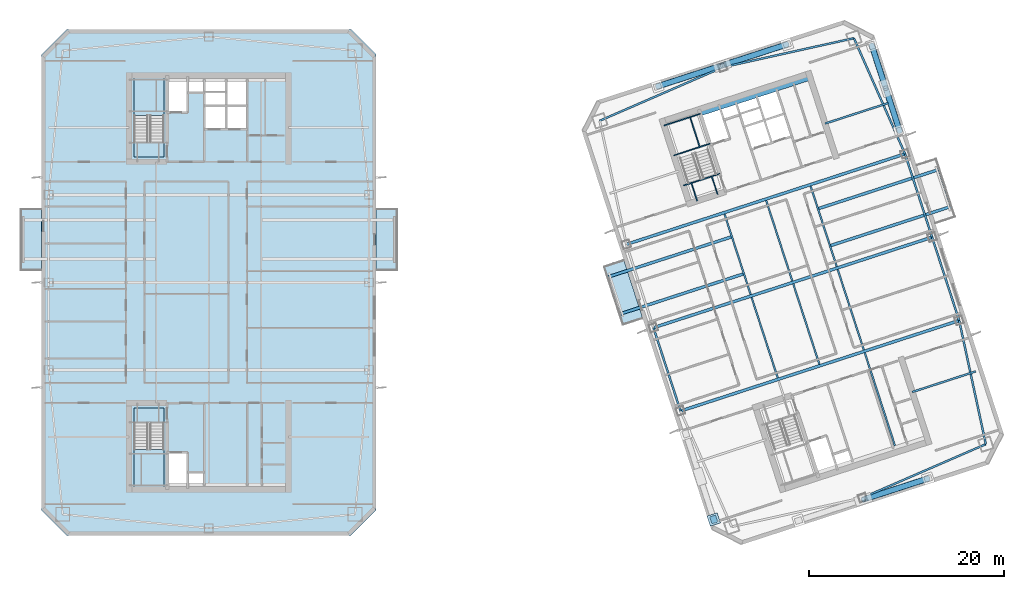
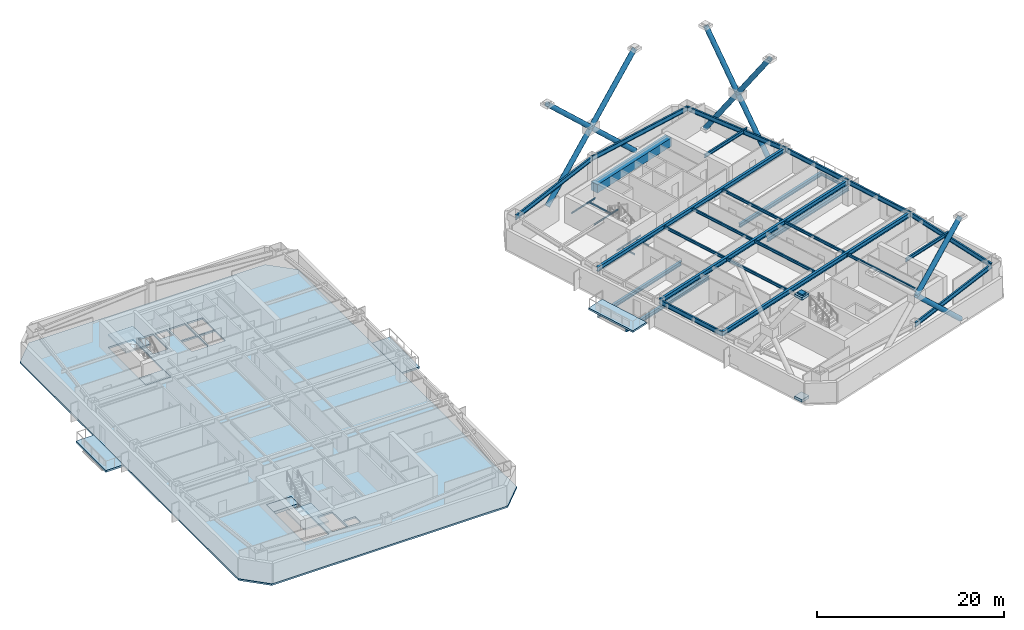
# One storey, part 4 of 18: 32 beams, 10 members, 8 slabs, 3 plates, 2 elements without a shape of their own.
"""IFC4 building model written with IfcOpenShell, lengths in metres."""

from ifc_helpers import new_model, si_unit, direction, frame, origin, origin_2d, place, context, subcontext, project, spatial, polyline, rectangle, hollow_circle, i_section, outline, extrude, material, layer, layer_set, material_profile, profile_set, type_object, element, aggregate, save


model = new_model("IFC4")

# Units and contexts
model_context = context("Model", 3, precision=1e-05, world=origin(), true_north=direction((0.0, 1.0)))
body_context = subcontext(model_context, "Body", "Model", "MODEL_VIEW")
ifc_project = project(units=[si_unit("LENGTHUNIT", "METRE"), si_unit("AREAUNIT", "SQUARE_METRE"), si_unit("VOLUMEUNIT", "CUBIC_METRE"), si_unit("PLANEANGLEUNIT", "RADIAN"), si_unit("MASSUNIT", "GRAM", prefix="KILO")], contexts=[model_context])

# Site, building, storey
site_placement = place(None, origin())
site = spatial("IfcSite", under=ifc_project, at=site_placement, CompositionType="ELEMENT")
building_placement = place(site_placement, origin())
building = spatial("IfcBuilding", under=site, at=building_placement, Name="Qiaolan Cultural Towers", CompositionType="ELEMENT")
storey_placement = place(building_placement, frame((0.0, 0.0, 163.300048828125)))
storey = spatial("IfcBuildingStorey", under=building, at=storey_placement, Name="L43", CompositionType="ELEMENT", Elevation=163.300048828125)

# Beams
ifc_material_1 = material(Name="Steel Q355B", Category="steel")
ifc_material_profile_1 = material_profile(ifc_material_1, i_section(OverallWidth=0.300048828125, OverallDepth=0.488037109375, WebThickness=0.010986328125, FlangeThickness=0.01806640625, at=origin_2d()), Name="HM488x300x11x18")
ifc_profile_set_1 = profile_set([ifc_material_profile_1], Name="Steel Q355B")
beam_type_1 = type_object("IfcBeamType", Name="BM-HM488x300x11x18", PredefinedType="BEAM", material=ifc_profile_set_1)
for number, where, z_axis, x_axis, name in (
    (1, (84.978515625, 34.891845703125, -0.524169921875), (-0.951058928428, -0.309009570496, 0.0), (0.309009570496, -0.951058928428, 0.0), "L43 T2 Tree Balcony Back-Spanned Bracket Beam"),
    (2, (83.742431640625, 38.6962890625, -0.524169921875), (-0.951053553769, -0.309026111943, 0.0), (0.309026111943, -0.951053553769, 0.0), "L43 T2 Tree Balcony Back-Spanned Bracket Beam"),
):
    element("IfcBeam", number, at=place(storey_placement, frame(where, z_axis=z_axis, x_axis=x_axis)), inside=storey, type_object=beam_type_1, Name=name, PredefinedType="BEAM", context=body_context, shape_type="SweptSolid", body=[
        extrude(i_section(OverallWidth=0.300048828125, OverallDepth=0.488037109375, WebThickness=0.010986328125, FlangeThickness=0.01806640625, at=origin_2d()), origin(), (0.0, 0.0, 1.0), 13.349853515625),
    ])
for number, where, z_axis, x_axis, name in (
    (3, (93.823486328125, 37.765869140625, -0.524169921875), (0.951054414178, 0.309023463951, 0.0), (-0.309023463951, 0.951054414178, 0.0), "L43 T2 Tree Balcony Back-Spanned Bracket Beam"),
    (4, (92.58740234375, 41.570068359375, -0.524169921875), (0.951054414178, 0.309023463951, 0.0), (-0.309023463951, 0.951054414178, 0.0), "L43 T2 Tree Balcony Back-Spanned Bracket Beam"),
):
    element("IfcBeam", number, at=place(storey_placement, frame(where, z_axis=z_axis, x_axis=x_axis)), inside=storey, type_object=beam_type_1, Name=name, PredefinedType="BEAM", context=body_context, shape_type="SweptSolid", body=[
        extrude(i_section(OverallWidth=0.300048828125, OverallDepth=0.488037109375, WebThickness=0.010986328125, FlangeThickness=0.01806640625, at=origin_2d()), origin(), (0.0, 0.0, 1.0), 13.0498046875),
    ])
ifc_material_2 = material(Name="Steel Q355B", Category="steel")
ifc_material_profile_2 = material_profile(ifc_material_2, i_section(OverallWidth=0.300048828125, OverallDepth=0.587890625, WebThickness=0.011962890625, FlangeThickness=0.02001953125, at=origin_2d()), Name="HM588x300x12x20")
ifc_profile_set_2 = profile_set([ifc_material_profile_2], Name="Steel Q355B")
beam_type_2 = type_object("IfcBeamType", Name="BM-HM588x300x12x20", PredefinedType="BEAM", material=ifc_profile_set_2)
beam_1_placement = place(storey_placement, frame((78.4677734375, 20.789794921875, 2.89599609375), z_axis=(0.951055226628, 0.309020963535, 0.0), x_axis=(-0.309020963535, 0.951055226628, 0.0)))
element("IfcBeam", 5, at=beam_1_placement, inside=storey, type_object=beam_type_2, Name="L43 T2 Primary Transverse Girder V1", PredefinedType="BEAM", context=body_context, shape_type="SweptSolid", body=[
    extrude(i_section(OverallWidth=0.300048828125, OverallDepth=0.587890625, WebThickness=0.011962890625, FlangeThickness=0.02001953125, at=origin_2d()), origin(), (0.0, 0.0, 1.0), 30.099853515625),
])
beam_2_placement = place(storey_placement, frame((75.6865234375, 29.349365234375, 2.89599609375), z_axis=(0.951058384903, 0.309011243331, 0.0), x_axis=(-0.309011243331, 0.951058384903, 0.0)))
element("IfcBeam", 6, at=beam_2_placement, inside=storey, type_object=beam_type_2, Name="L43 T2 Primary Transverse Girder V2", PredefinedType="BEAM", context=body_context, shape_type="SweptSolid", body=[
    extrude(i_section(OverallWidth=0.300048828125, OverallDepth=0.587890625, WebThickness=0.011962890625, FlangeThickness=0.02001953125, at=origin_2d()), origin(), (0.0, 0.0, 1.0), 30.10009765625),
])
beam_3_placement = place(storey_placement, frame((72.905517578125, 37.90869140625, 2.89599609375), z_axis=(0.951055226628, 0.309020963535, 0.0), x_axis=(-0.309020963535, 0.951055226628, 0.0)))
element("IfcBeam", 7, at=beam_3_placement, inside=storey, type_object=beam_type_2, Name="L43 T2 Primary Transverse Girder V3", PredefinedType="BEAM", context=body_context, shape_type="SweptSolid", body=[
    extrude(i_section(OverallWidth=0.300048828125, OverallDepth=0.587890625, WebThickness=0.011962890625, FlangeThickness=0.02001953125, at=origin_2d()), origin(), (0.0, 0.0, 1.0), 30.099853515625),
])
ifc_material_3 = material(Name="Steel Q355B", Category="steel")
ifc_material_profile_3 = material_profile(ifc_material_3, i_section(OverallWidth=0.175048828125, OverallDepth=0.35009765625, WebThickness=0.007080078125, FlangeThickness=0.010986328125, at=origin_2d()), Name="HN350x175x7x11")
ifc_profile_set_3 = profile_set([ifc_material_profile_3], Name="Steel Q355B")
beam_type_3 = type_object("IfcBeamType", Name="BM-JST-HN350x175x7x11", PredefinedType="JOIST", material=ifc_profile_set_3)
beam_4_placement = place(storey_placement, frame((106.234619140625, 41.798583984375, -0.524169921875), z_axis=(-0.309022586479, 0.951054699292, 0.0), x_axis=(-0.951054699292, -0.309022586479, 0.0)))
element("IfcBeam", 8, at=beam_4_placement, inside=storey, type_object=beam_type_3, Name="L43 T2 Tree Balcony Outer Edge Beam", PredefinedType="JOIST", context=body_context, shape_type="SweptSolid", body=[
    extrude(i_section(OverallWidth=0.175048828125, OverallDepth=0.35009765625, WebThickness=0.007080078125, FlangeThickness=0.010986328125, at=origin_2d()), origin(), (0.0, 0.0, 1.0), 4.0),
])
for number, where, z_axis, x_axis, name in (
    (9, (88.455078125, 24.192626953125, 3.014892578125), (-0.309020714809, 0.951055307445, 0.0), (-0.951055307445, -0.309020714809, 0.0), "L43 T2 Secondary Floor Joist U1-2"),
    (10, (85.673828125, 32.752197265625, 3.014892578125), (-0.309020714809, 0.951055307445, 0.0), (-0.951055307445, -0.309020714809, 0.0), "L43 T2 Secondary Floor Joist U1-3"),
    (11, (92.73486328125, 25.583251953125, 3.014892578125), (-0.309020714809, 0.951055307445, 0.0), (-0.951055307445, -0.309020714809, 0.0), "L43 T2 Secondary Floor Joist U2-2"),
    (12, (89.95361328125, 34.142578125, 3.014892578125), (-0.309020714809, 0.951055307445, 0.0), (-0.951055307445, -0.309020714809, 0.0), "L43 T2 Secondary Floor Joist U2-3"),
):
    element("IfcBeam", number, at=place(storey_placement, frame(where, z_axis=z_axis, x_axis=x_axis)), inside=storey, type_object=beam_type_3, Name=name, PredefinedType="JOIST", context=body_context, shape_type="SweptSolid", body=[
        extrude(i_section(OverallWidth=0.175048828125, OverallDepth=0.35009765625, WebThickness=0.007080078125, FlangeThickness=0.010986328125, at=origin_2d()), origin(), (0.0, 0.0, 1.0), 8.699951171875),
    ])
beam_5_placement = place(storey_placement, frame((100.498291015625, 17.222900390625, 3.014892578125), z_axis=(-0.309025649293, 0.951053704098, 0.0), x_axis=(-0.951053704098, -0.309025649293, 0.0)))
element("IfcBeam", 13, at=beam_5_placement, inside=storey, type_object=beam_type_3, Name="L43 T2 Secondary Floor Joist U3-1", PredefinedType="JOIST", context=body_context, shape_type="SweptSolid", body=[
    extrude(i_section(OverallWidth=0.175048828125, OverallDepth=0.35009765625, WebThickness=0.007080078125, FlangeThickness=0.010986328125, at=origin_2d()), origin(), (0.0, 0.0, 1.0), 10.050048828125),
])
for number, where, z_axis, x_axis, name in (
    (14, (97.2998046875, 27.06640625, 3.014892578125), (-0.309020714809, 0.951055307445, 0.0), (-0.951055307445, -0.309020714809, 0.0), "L43 T2 Secondary Floor Joist U3-2"),
    (15, (94.518798828125, 35.6259765625, 3.014892578125), (-0.309020714809, 0.951055307445, 0.0), (-0.951055307445, -0.309020714809, 0.0), "L43 T2 Secondary Floor Joist U3-3"),
):
    element("IfcBeam", number, at=place(storey_placement, frame(where, z_axis=z_axis, x_axis=x_axis)), inside=storey, type_object=beam_type_3, Name=name, PredefinedType="JOIST", context=body_context, shape_type="SweptSolid", body=[
        extrude(i_section(OverallWidth=0.175048828125, OverallDepth=0.35009765625, WebThickness=0.007080078125, FlangeThickness=0.010986328125, at=origin_2d()), origin(), (0.0, 0.0, 1.0), 8.699951171875),
    ])
ifc_material_4 = material(Name="Steel Q355B", Category="steel")
ifc_material_profile_4 = material_profile(ifc_material_4, i_section(OverallWidth=0.199951171875, OverallDepth=0.449951171875, WebThickness=0.009033203125, FlangeThickness=0.013916015625, at=origin_2d()), Name="HN450x200x9x14")
ifc_profile_set_4 = profile_set([ifc_material_profile_4], Name="Steel Q355B")
beam_type_4 = type_object("IfcBeamType", Name="BM-LNT-HN450x200x9x14", PredefinedType="LINTEL", material=ifc_profile_set_4)
for number, where, z_axis, x_axis, name in (
    (16, (102.279296875, 22.74365234375, 2.96484375), (0.951061565824, 0.30900145309, 0.0), (-0.30900145309, 0.951061565824, 0.0), "L43 T2 Core Flank Tie Lintel ES"),
    (17, (93.31787109375, 50.32421875, 2.96484375), (0.951061565824, 0.30900145309, 0.0), (-0.30900145309, 0.951061565824, 0.0), "L43 T2 Core Flank Tie Lintel EN"),
):
    element("IfcBeam", number, at=place(storey_placement, frame(where, z_axis=z_axis, x_axis=x_axis)), inside=storey, type_object=beam_type_4, Name=name, PredefinedType="LINTEL", context=body_context, shape_type="SweptSolid", body=[
        extrude(i_section(OverallWidth=0.199951171875, OverallDepth=0.449951171875, WebThickness=0.009033203125, FlangeThickness=0.013916015625, at=origin_2d()), origin(), (0.0, 0.0, 1.0), 6.85009765625),
    ])
ifc_material_5 = material(Name="Concrete C50", Category="concrete")
ifc_material_profile_5 = material_profile(ifc_material_5, rectangle(XDim=0.89990234375, YDim=1.10009765625, at=origin_2d()), Name="RC900x1100")
ifc_profile_set_5 = profile_set([ifc_material_profile_5], Name="Concrete C50")
beam_type_5 = type_object("IfcBeamType", Name="BM-RC900x1100", PredefinedType="BEAM", material=ifc_profile_set_5)
beam_6_placement = place(storey_placement, frame((80.427978515625, 51.551025390625, 2.639892578125), z_axis=(0.951056266386, 0.309017763514, 0.0), x_axis=(-0.309017763514, 0.951056266386, 0.0)))
element("IfcBeam", 18, at=beam_6_placement, inside=storey, type_object=beam_type_5, Name="L43 T2 Core Header Girder N", PredefinedType="BEAM", context=body_context, shape_type="SweptSolid", body=[
    extrude(rectangle(XDim=0.89990234375, YDim=1.10009765625, at=origin_2d()), origin(), (0.0, 0.0, 1.0), 11.880126953125),
])
ifc_material_6 = material(Name="Steel Q355B", Category="steel")
ifc_material_profile_6 = material_profile(ifc_material_6, i_section(OverallWidth=0.199951171875, OverallDepth=0.60009765625, WebThickness=0.010986328125, FlangeThickness=0.01708984375, at=origin_2d()), Name="HN600x200x11x17")
ifc_profile_set_6 = profile_set([ifc_material_profile_6], Name="Steel Q355B")
beam_type_6 = type_object("IfcBeamType", Name="BM-SPD-HN600x200x11x17", PredefinedType="SPANDREL", material=ifc_profile_set_6)
beam_7_placement = place(storey_placement, frame((97.1845703125, 11.887939453125, 2.889892578125), z_axis=(0.917117043091, 0.398618024268, 0.0), x_axis=(-0.398618024268, 0.917117043091, 0.0)))
element("IfcBeam", 19, at=beam_7_placement, inside=storey, type_object=beam_type_6, Name="L43 T2 Perimeter Spandrel Beam 2", PredefinedType="SPANDREL", context=body_context, shape_type="SweptSolid", body=[
    extrude(i_section(OverallWidth=0.199951171875, OverallDepth=0.60009765625, WebThickness=0.010986328125, FlangeThickness=0.01708984375, at=origin_2d()), origin(), (0.0, 0.0, 1.0), 13.79345703125),
])
beam_8_placement = place(storey_placement, frame((109.834716796875, 17.38623046875, 2.889892578125), z_axis=(-0.210832241173, 0.977522258612, 0.0), x_axis=(-0.977522258612, -0.210832241173, 0.0)))
element("IfcBeam", 20, at=beam_8_placement, inside=storey, type_object=beam_type_6, Name="L43 T2 Perimeter Spandrel Beam 3", PredefinedType="SPANDREL", context=body_context, shape_type="SweptSolid", body=[
    extrude(i_section(OverallWidth=0.199951171875, OverallDepth=0.60009765625, WebThickness=0.010986328125, FlangeThickness=0.01708984375, at=origin_2d()), origin(), (0.0, 0.0, 1.0), 12.997314453125),
])
beam_9_placement = place(storey_placement, frame((107.094482421875, 30.09130859375, 2.889892578125), z_axis=(-0.309008170129, 0.951059383421, 0.0), x_axis=(-0.951059383421, -0.309008170129, 0.0)))
element("IfcBeam", 21, at=beam_9_placement, inside=storey, type_object=beam_type_6, Name="L43 T2 Perimeter Spandrel Beam 4", PredefinedType="SPANDREL", context=body_context, shape_type="SweptSolid", body=[
    extrude(i_section(OverallWidth=0.199951171875, OverallDepth=0.60009765625, WebThickness=0.010986328125, FlangeThickness=0.01708984375, at=origin_2d()), origin(), (0.0, 0.0, 1.0), 8.999755859375),
])
beam_10_placement = place(storey_placement, frame((104.3134765625, 38.650634765625, 2.889892578125), z_axis=(-0.309024734286, 0.951054001411, 0.0), x_axis=(-0.951054001411, -0.309024734286, 0.0)))
element("IfcBeam", 22, at=beam_10_placement, inside=storey, type_object=beam_type_6, Name="L43 T2 Perimeter Spandrel Beam 5", PredefinedType="SPANDREL", context=body_context, shape_type="SweptSolid", body=[
    extrude(i_section(OverallWidth=0.199951171875, OverallDepth=0.60009765625, WebThickness=0.010986328125, FlangeThickness=0.01708984375, at=origin_2d()), origin(), (0.0, 0.0, 1.0), 9.0),
])
beam_11_placement = place(storey_placement, frame((101.5322265625, 47.210205078125, 2.889892578125), z_axis=(-0.404011070002, 0.914754095545, 0.0), x_axis=(-0.914754095545, -0.404011070002, 0.0)))
element("IfcBeam", 23, at=beam_11_placement, inside=storey, type_object=beam_type_6, Name="L43 T2 Perimeter Spandrel Beam 6", PredefinedType="SPANDREL", context=body_context, shape_type="SweptSolid", body=[
    extrude(i_section(OverallWidth=0.199951171875, OverallDepth=0.60009765625, WebThickness=0.010986328125, FlangeThickness=0.01708984375, at=origin_2d()), origin(), (0.0, 0.0, 1.0), 12.9970703125),
])
beam_12_placement = place(storey_placement, frame((96.28125, 59.099365234375, 2.889892578125), z_axis=(-0.976265293399, -0.216578108094, 0.0), x_axis=(0.216578108094, -0.976265293399, 0.0)))
element("IfcBeam", 24, at=beam_12_placement, inside=storey, type_object=beam_type_6, Name="L43 T2 Perimeter Spandrel Beam 7", PredefinedType="SPANDREL", context=body_context, shape_type="SweptSolid", body=[
    extrude(i_section(OverallWidth=0.199951171875, OverallDepth=0.60009765625, WebThickness=0.010986328125, FlangeThickness=0.01708984375, at=origin_2d()), origin(), (0.0, 0.0, 1.0), 13.793212890625),
])
beam_13_placement = place(storey_placement, frame((82.8154296875, 56.112060546875, 2.889892578125), z_axis=(-0.917117043091, -0.398618024268, 0.0), x_axis=(0.398618024268, -0.917117043091, 0.0)))
element("IfcBeam", 25, at=beam_13_placement, inside=storey, type_object=beam_type_6, Name="L43 T2 Perimeter Spandrel Beam 8", PredefinedType="SPANDREL", context=body_context, shape_type="SweptSolid", body=[
    extrude(i_section(OverallWidth=0.199951171875, OverallDepth=0.60009765625, WebThickness=0.010986328125, FlangeThickness=0.01708984375, at=origin_2d()), origin(), (0.0, 0.0, 1.0), 13.79345703125),
])
beam_14_placement = place(storey_placement, frame((75.6865234375, 29.349365234375, 2.889892578125), z_axis=(0.309024734286, -0.951054001411, 0.0), x_axis=(0.951054001411, 0.309024734286, 0.0)))
element("IfcBeam", 26, at=beam_14_placement, inside=storey, type_object=beam_type_6, Name="L43 T2 Perimeter Spandrel Beam 11", PredefinedType="SPANDREL", context=body_context, shape_type="SweptSolid", body=[
    extrude(i_section(OverallWidth=0.199951171875, OverallDepth=0.60009765625, WebThickness=0.010986328125, FlangeThickness=0.01708984375, at=origin_2d()), origin(), (0.0, 0.0, 1.0), 9.0),
])
ifc_material_7 = material(Name="Steel Q355B", Category="steel")
ifc_material_profile_7 = material_profile(ifc_material_7, i_section(OverallWidth=0.10009765625, OverallDepth=0.199951171875, WebThickness=0.005615234375, FlangeThickness=0.008056640625, at=origin_2d()), Name="HN200x100x5.5x8")
ifc_profile_set_7 = profile_set([ifc_material_profile_7], Name="Steel Q355B")
beam_type_7 = type_object("IfcBeamType", Name="BM-STTRIM-200", PredefinedType="BEAM", material=ifc_profile_set_7)
beam_15_placement = place(storey_placement, frame((78.773193359375, 43.958251953125, -0.4599609375), z_axis=(0.951072048947, 0.3089691857, 0.0), x_axis=(-0.3089691857, 0.951072048947, 0.0)))
element("IfcBeam", 27, at=beam_15_placement, inside=storey, type_object=beam_type_7, Name="L43 ST-E2 Floor Landing Header Beam", PredefinedType="BEAM", context=body_context, shape_type="SweptSolid", body=[
    extrude(i_section(OverallWidth=0.10009765625, OverallDepth=0.199951171875, WebThickness=0.005615234375, FlangeThickness=0.008056640625, at=origin_2d()), origin(), (0.0, 0.0, 1.0), 3.920166015625),
])
for number, where, z_axis, x_axis, name in (
    (28, (80.18115234375, 42.375732421875, -0.4599609375), (-0.308969394428, 0.951071981138, 0.0), (-0.951071981138, -0.308969394428, 0.0), "L43 ST-E2 Floor Landing Stringer 1"),
    (29, (82.2734375, 43.0556640625, -0.4599609375), (-0.308969394428, 0.951071981138, 0.0), (-0.951071981138, -0.308969394428, 0.0), "L43 ST-E2 Floor Landing Stringer 2"),
):
    element("IfcBeam", number, at=place(storey_placement, frame(where, z_axis=z_axis, x_axis=x_axis)), inside=storey, type_object=beam_type_7, Name=name, PredefinedType="BEAM", context=body_context, shape_type="SweptSolid", body=[
        extrude(i_section(OverallWidth=0.10009765625, OverallDepth=0.199951171875, WebThickness=0.005615234375, FlangeThickness=0.008056640625, at=origin_2d()), origin(), (0.0, 0.0, 1.0), 1.93994140625),
    ])
for number, where, z_axis, x_axis, name in (
    (30, (77.769287109375, 47.0478515625, 1.425048828125), (0.951053746643, 0.309025518358, 0.0), (-0.309025518358, 0.951053746643, 0.0), "L43 ST-E2 Stair Landing Support Beam 1-1"),
    (31, (76.770751953125, 50.12109375, 1.425048828125), (0.951072048947, 0.3089691857, 0.0), (-0.3089691857, 0.951072048947, 0.0), "L43 ST-E2 Stair Landing Support Beam 1-2"),
):
    element("IfcBeam", number, at=place(storey_placement, frame(where, z_axis=z_axis, x_axis=x_axis)), inside=storey, type_object=beam_type_7, Name=name, PredefinedType="BEAM", context=body_context, shape_type="SweptSolid", body=[
        extrude(i_section(OverallWidth=0.10009765625, OverallDepth=0.199951171875, WebThickness=0.005615234375, FlangeThickness=0.008056640625, at=origin_2d()), origin(), (0.0, 0.0, 1.0), 3.920166015625),
    ])
beam_16_placement = place(storey_placement, frame((80.44189453125, 47.916259765625, 1.425048828125), z_axis=(-0.309033108495, 0.951051280349, 0.0), x_axis=(-0.951051280349, -0.309033108495, 0.0)))
element("IfcBeam", 32, at=beam_16_placement, inside=storey, type_object=beam_type_7, Name="L43 ST-E2 Stair Landing Trimmer 1", PredefinedType="BEAM", context=body_context, shape_type="SweptSolid", body=[
    extrude(i_section(OverallWidth=0.10009765625, OverallDepth=0.199951171875, WebThickness=0.005615234375, FlangeThickness=0.008056640625, at=origin_2d()), origin(), (0.0, 0.0, 1.0), 3.231201171875),
])

# Members
ifc_material_8 = material(Name="Steel Q355B", Category="steel")
ifc_material_profile_8 = material_profile(ifc_material_8, hollow_circle(Radius=0.300048828125, WallThickness=0.030029296875, at=origin_2d()), Name="CHS600x30")
ifc_profile_set_8 = profile_set([ifc_material_profile_8], Name="Steel Q355B")
member_type = type_object("IfcMemberType", Name="MBR-BRC-CHS600x30", PredefinedType="BRACE", material=ifc_profile_set_8)
for number, where, z_axis, x_axis, name in (
    (33, (100.980712890625, 49.554443359375, 0.14990234375), (-0.175992557222, 0.541656628538, 0.821970021694), (-0.951057728941, -0.309013262209, 0.0), "T2 EAST Perimeter Frame Diagonal E-Z3-M3-D1A"),
    (34, (99.551513671875, 53.953125, 6.824951171875), (-0.175992557222, 0.541656628538, 0.821970021694), (-0.951057728941, -0.309013262209, 0.0), "T2 EAST Perimeter Frame Diagonal E-Z3-M3-D1B"),
    (35, (98.122314453125, 58.351806640625, 0.14990234375), (0.175992557222, -0.541656628538, 0.821970021694), (0.951057728941, 0.309013262209, 0.0), "T2 EAST Perimeter Frame Diagonal E-Z3-M3-D2A"),
    (36, (99.551513671875, 53.953125, 6.824951171875), (0.175992557222, -0.541656628538, 0.821970021694), (0.951057728941, 0.309013262209, 0.0), "T2 EAST Perimeter Frame Diagonal E-Z3-M3-D2B"),
):
    element("IfcMember", number, at=place(storey_placement, frame(where, z_axis=z_axis, x_axis=x_axis)), inside=storey, type_object=member_type, Name=name, PredefinedType="BRACE", context=body_context, shape_type="SweptSolid", body=[
        extrude(hollow_circle(Radius=0.300048828125, WallThickness=0.030029296875, at=origin_2d()), origin(), (0.0, 0.0, 1.0), 8.120849609375),
    ])
for number, where, z_axis, x_axis, name in (
    (37, (97.246337890625, 11.69775390625, 6.824951171875), (0.688288969768, 0.223632706448, 0.690106301016), (-0.309009574742, 0.951058927048, 0.0), "T2 SOUTH Perimeter Frame Diagonal E-Z3-M3-D1B"),
    (38, (103.90380859375, 13.86083984375, 0.14990234375), (-0.688288969768, -0.223632706448, 0.690106301016), (0.309009574742, -0.951058927048, 0.0), "T2 SOUTH Perimeter Frame Diagonal E-Z3-M3-D2A"),
    (39, (76.09619140625, 54.13916015625, 0.14990234375), (0.688288969768, 0.223632706448, 0.690106301016), (-0.309009574742, 0.951058927048, 0.0), "T2 NORTH Perimeter Frame Diagonal E-Z3-M3-D1A"),
):
    element("IfcMember", number, at=place(storey_placement, frame(where, z_axis=z_axis, x_axis=x_axis)), inside=storey, type_object=member_type, Name=name, PredefinedType="BRACE", context=body_context, shape_type="SweptSolid", body=[
        extrude(hollow_circle(Radius=0.300048828125, WallThickness=0.030029296875, at=origin_2d()), origin(), (0.0, 0.0, 1.0), 9.672607421875),
    ])
for number, where, z_axis, x_axis, name in (
    (40, (82.753662109375, 56.30224609375, 6.824951171875), (0.688275686288, 0.223636591628, 0.690118290259), (-0.309019824916, 0.951055596592, 0.0), "T2 NORTH Perimeter Frame Diagonal E-Z3-M3-D1B"),
    (41, (89.410888671875, 58.46533203125, 0.14990234375), (-0.688275686288, -0.223636591628, 0.690118290259), (0.309019824916, -0.951055596592, 0.0), "T2 NORTH Perimeter Frame Diagonal E-Z3-M3-D2A"),
):
    element("IfcMember", number, at=place(storey_placement, frame(where, z_axis=z_axis, x_axis=x_axis)), inside=storey, type_object=member_type, Name=name, PredefinedType="BRACE", context=body_context, shape_type="SweptSolid", body=[
        extrude(hollow_circle(Radius=0.300048828125, WallThickness=0.030029296875, at=origin_2d()), origin(), (0.0, 0.0, 1.0), 9.67236328125),
    ])
member_placement = place(storey_placement, frame((82.753662109375, 56.30224609375, 6.824951171875), z_axis=(-0.688288969768, -0.223632706448, 0.690106301016), x_axis=(0.309009574742, -0.951058927048, 0.0)))
element("IfcMember", 42, at=member_placement, inside=storey, type_object=member_type, Name="T2 NORTH Perimeter Frame Diagonal E-Z3-M3-D2B", PredefinedType="BRACE", context=body_context, shape_type="SweptSolid", body=[
    extrude(hollow_circle(Radius=0.300048828125, WallThickness=0.030029296875, at=origin_2d()), origin(), (0.0, 0.0, 1.0), 9.672607421875),
])

# Plates
ifc_material_9 = material(Name="Steel Q355B", Category="steel")
ifc_layer_1 = layer(ifc_material_9, 0.035888671875)
ifc_layer_set_1 = layer_set([ifc_layer_1], Name="Steel Q355B")
plate_type_1 = type_object("IfcPlateType", Name="PL-CONN-36", PredefinedType="USERDEFINED", material=ifc_layer_set_1)
plate_placement = place(storey_placement, frame((81.877685546875, 9.648193359375, 13.1298828125), z_axis=(0.0, 0.0, 1.0), x_axis=(-0.309016961177, 0.951056527082, 0.0)))
element("IfcPlate", 43, at=plate_placement, inside=storey, type_object=plate_type_1, Name="L43 Brace End Connection Gusset Plate GP-02-0541", ObjectType="GUSSET_PLATE", PredefinedType="USERDEFINED", context=body_context, shape_type="SweptSolid", body=[
    extrude(rectangle(XDim=0.739990234375, YDim=0.6201171875, at=origin_2d()), origin(), (0.0, 0.0, 1.0), 0.739990234375),
])
ifc_material_10 = material(Name="Steel Q355B", Category="steel")
ifc_layer_2 = layer(ifc_material_10, 0.030029296875)
ifc_layer_set_2 = layer_set([ifc_layer_2], Name="Steel Q355B")
plate_type_2 = type_object("IfcPlateType", Name="PL-ENDCAP-30", PredefinedType="USERDEFINED", material=ifc_layer_set_2)
for number, where, z_axis, x_axis, name in (
    (44, (81.877685546875, 9.648193359375, -0.025146484375), (0.0, 0.0, 1.0), (-0.309016994375, 0.951056516295, 0.0), "Hollow Brace End Seal Cap Plate CP-01"),
    (45, (81.877685546875, 9.648193359375, 13.324951171875), (0.0, 0.0, 1.0), (-0.309016994375, 0.951056516295, 0.0), "Hollow Brace End Seal Cap Plate CP-01"),
):
    element("IfcPlate", number, at=place(storey_placement, frame(where, z_axis=z_axis, x_axis=x_axis)), inside=storey, type_object=plate_type_2, Name=name, ObjectType="BASE_PLATE", PredefinedType="USERDEFINED", context=body_context, shape_type="SweptSolid", body=[
        extrude(rectangle(XDim=1.10009765625, YDim=1.10009765625, at=origin_2d()), origin(), (0.0, 0.0, 1.0), 0.35009765625),
    ])

# Slabs
ifc_material_11 = material(Name="Concrete C45", Category="concrete")
ifc_layer_3 = layer(ifc_material_11, 0.239990234375)
ifc_layer_set_3 = layer_set([ifc_layer_3], Name="Concrete C45")
slab_type_1 = type_object("IfcSlabType", Name="SL-BAL-240", PredefinedType="FLOOR", material=ifc_layer_set_3)
slab_1_placement = place(storey_placement, frame((0.0, 0.0, -0.239990234375)))
element("IfcSlab", 46, at=slab_1_placement, inside=storey, type_object=slab_type_1, Name="L43 T1 Planted Tree Balcony W", PredefinedType="FLOOR", context=body_context, shape_type="SweptSolid", body=[
    extrude(outline(polyline([(10.60009765625, 35.199951171875), (12.800048828125, 35.199951171875), (12.800048828125, 41.60009765625), (10.60009765625, 41.60009765625), (10.60009765625, 35.199951171875)])), origin(), (0.0, 0.0, 1.0), 0.239990234375),
])
slab_2_placement = place(storey_placement, frame((0.0, 0.0, -0.239990234375)))
element("IfcSlab", 47, at=slab_2_placement, inside=storey, type_object=slab_type_1, Name="L43 T1 Planted Tree Balcony E", PredefinedType="FLOOR", context=body_context, shape_type="SweptSolid", body=[
    extrude(outline(polyline([(47.199951171875, 35.199951171875), (49.39990234375, 35.199951171875), (49.39990234375, 41.60009765625), (47.199951171875, 41.60009765625), (47.199951171875, 35.199951171875)])), origin(), (0.0, 0.0, 1.0), 0.239990234375),
])
slab_3_placement = place(storey_placement, frame((0.0, 0.0, -0.239990234375)))
element("IfcSlab", 48, at=slab_3_placement, inside=storey, type_object=slab_type_1, Name="L43 T2 Planted Tree Balcony W", PredefinedType="FLOOR", context=body_context, shape_type="SweptSolid", body=[
    extrude(outline(polyline([(72.51025390625, 29.578857421875), (74.6025390625, 30.2587890625), (72.624755859375, 36.345458984375), (70.532470703125, 35.665771484375), (72.51025390625, 29.578857421875)])), origin(), (0.0, 0.0, 1.0), 0.239990234375),
])

# Stair, slab
ifc_material_12 = material(Name="Concrete C45", Category="concrete")
stair_type = type_object("IfcStairType", Name="STR-CORE-1500", PredefinedType="HALF_TURN_STAIR", material=ifc_material_12)
stair_1_placement = place(storey_placement, origin())
stair_1 = element("IfcStair", 49, at=stair_1_placement, inside=storey, type_object=stair_type, Name="L43 Smokeproof Exit Stair ST-W1", PredefinedType="HALF_TURN_STAIR")
ifc_material_13 = material(Name="Concrete C45", Category="concrete")
ifc_layer_4 = layer(ifc_material_13, 0.199951171875)
ifc_layer_set_4 = layer_set([ifc_layer_4], Name="Concrete C45")
slab_type_2 = type_object("IfcSlabType", Name="SL-STAIR-LAND", PredefinedType="LANDING", material=ifc_layer_set_4)
slab_4_placement = place(storey_placement, frame((0.0, 0.0, 1.52490234375)))
slab_4 = element("IfcSlab", 50, at=slab_4_placement, type_object=slab_type_2, Name="ST-W1 landing 1", PredefinedType="LANDING", context=body_context, shape_type="SweptSolid", body=[
    extrude(outline(polyline([(22.300048828125, 16.851318359375), (22.300048828125, 13.0), (25.3798828125, 13.0), (25.3798828125, 16.851318359375), (22.300048828125, 16.851318359375)])), origin(), (0.0, 0.0, 1.0), 0.199951171875),
])
aggregate(stair_1, [slab_4])

stair_2_placement = place(storey_placement, origin())
stair_2 = element("IfcStair", 51, at=stair_2_placement, inside=storey, type_object=stair_type, Name="L43 Smokeproof Exit Stair ST-W2", PredefinedType="HALF_TURN_STAIR")
slab_5_placement = place(storey_placement, frame((0.0, 0.0, 1.52490234375)))
slab_5 = element("IfcSlab", 52, at=slab_5_placement, type_object=slab_type_2, Name="ST-W2 landing 1", PredefinedType="LANDING", context=body_context, shape_type="SweptSolid", body=[
    extrude(outline(polyline([(25.3798828125, 51.148681640625), (25.3798828125, 55.0), (22.300048828125, 55.0), (22.300048828125, 51.148681640625), (25.3798828125, 51.148681640625)])), origin(), (0.0, 0.0, 1.0), 0.199951171875),
])
aggregate(stair_2, [slab_5])

# Slabs
ifc_material_14 = material(Name="Concrete C40", Category="concrete")
ifc_layer_5 = layer(ifc_material_14, 0.360107421875)
ifc_layer_set_5 = layer_set([ifc_layer_5], Name="Concrete C40")
slab_type_3 = type_object("IfcSlabType", Name="SL-STFLR-360", PredefinedType="LANDING", material=ifc_layer_set_5)
slab_6_placement = place(storey_placement, frame((0.0, 0.0, -0.360107421875)))
element("IfcSlab", 53, at=slab_6_placement, inside=storey, type_object=slab_type_3, Name="L43 ST-W1 Stair Floor Landing Slab", PredefinedType="LANDING", context=body_context, shape_type="SweptSolid", body=[
    extrude(outline(polyline([(22.302001953125, 21.097900390625), (22.302001953125, 19.548583984375), (25.3779296875, 19.548583984375), (25.3779296875, 21.097900390625), (22.302001953125, 21.097900390625)])), origin(), (0.0, 0.0, 1.0), 0.360107421875),
])
slab_7_placement = place(storey_placement, frame((0.0, 0.0, -0.360107421875)))
element("IfcSlab", 54, at=slab_7_placement, inside=storey, type_object=slab_type_3, Name="L43 ST-W2 Stair Floor Landing Slab", PredefinedType="LANDING", context=body_context, shape_type="SweptSolid", body=[
    extrude(outline(polyline([(25.3779296875, 46.902099609375), (25.3779296875, 48.451416015625), (22.302001953125, 48.451416015625), (22.302001953125, 46.902099609375), (25.3779296875, 46.902099609375)])), origin(), (0.0, 0.0, 1.0), 0.360107421875),
])
ifc_material_15 = material(Name="Concrete C45", Category="concrete")
ifc_layer_6 = layer(ifc_material_15, 0.219970703125)
ifc_layer_set_6 = layer_set([ifc_layer_6], Name="Concrete C45")
slab_type_4 = type_object("IfcSlabType", Name="SL-TYP-220", PredefinedType="FLOOR", material=ifc_layer_set_6)
slab_8_placement = place(storey_placement, frame((0.0, 0.0, -0.219970703125)))
element("IfcSlab", 55, at=slab_8_placement, inside=storey, type_object=slab_type_4, Name="L43 West Tower Floor Slab", PredefinedType="FLOOR", context=body_context, shape_type="SweptSolid", body=[
    extrude(outline(polyline([(15.39990234375, 8.0), (44.60009765625, 8.0), (47.199951171875, 10.60009765625), (47.199951171875, 57.39990234375), (44.60009765625, 60.0), (15.39990234375, 60.0), (12.800048828125, 57.39990234375), (12.800048828125, 10.60009765625), (15.39990234375, 8.0)]), holes=[polyline([(22.300048828125, 21.10009765625), (22.300048828125, 13.0), (25.3798828125, 13.0), (25.3798828125, 21.10009765625), (22.300048828125, 21.10009765625)]), polyline([(25.3798828125, 46.89990234375), (25.3798828125, 55.0), (22.300048828125, 55.0), (22.300048828125, 46.89990234375), (25.3798828125, 46.89990234375)]), polyline([(25.89990234375, 13.199951171875), (27.75, 13.199951171875), (27.75, 16.449951171875), (25.89990234375, 16.449951171875), (25.89990234375, 13.199951171875)]), polyline([(27.93994140625, 13.25), (29.449951171875, 13.25), (29.449951171875, 14.419921875), (27.93994140625, 14.419921875), (27.93994140625, 13.25)]), polyline([(25.89990234375, 51.550048828125), (27.75, 51.550048828125), (27.75, 54.800048828125), (25.89990234375, 54.800048828125), (25.89990234375, 51.550048828125)]), polyline([(27.93994140625, 53.580078125), (29.449951171875, 53.580078125), (29.449951171875, 54.75), (27.93994140625, 54.75), (27.93994140625, 53.580078125)]), polyline([(29.679931640625, 49.820068359375), (31.679931640625, 49.820068359375), (31.679931640625, 52.080078125), (29.679931640625, 52.080078125), (29.679931640625, 49.820068359375)]), polyline([(31.8798828125, 49.820068359375), (33.820068359375, 49.820068359375), (33.820068359375, 52.080078125), (31.8798828125, 52.080078125), (31.8798828125, 49.820068359375)]), polyline([(29.679931640625, 52.27001953125), (31.659912109375, 52.27001953125), (31.659912109375, 54.75), (29.679931640625, 54.75), (29.679931640625, 52.27001953125)]), polyline([(31.8798828125, 52.27001953125), (33.820068359375, 52.27001953125), (33.820068359375, 54.75), (31.8798828125, 54.75), (31.8798828125, 52.27001953125)])]), origin(), (0.0, 0.0, 1.0), 0.219970703125),
])

save(model, "model.ifc")
